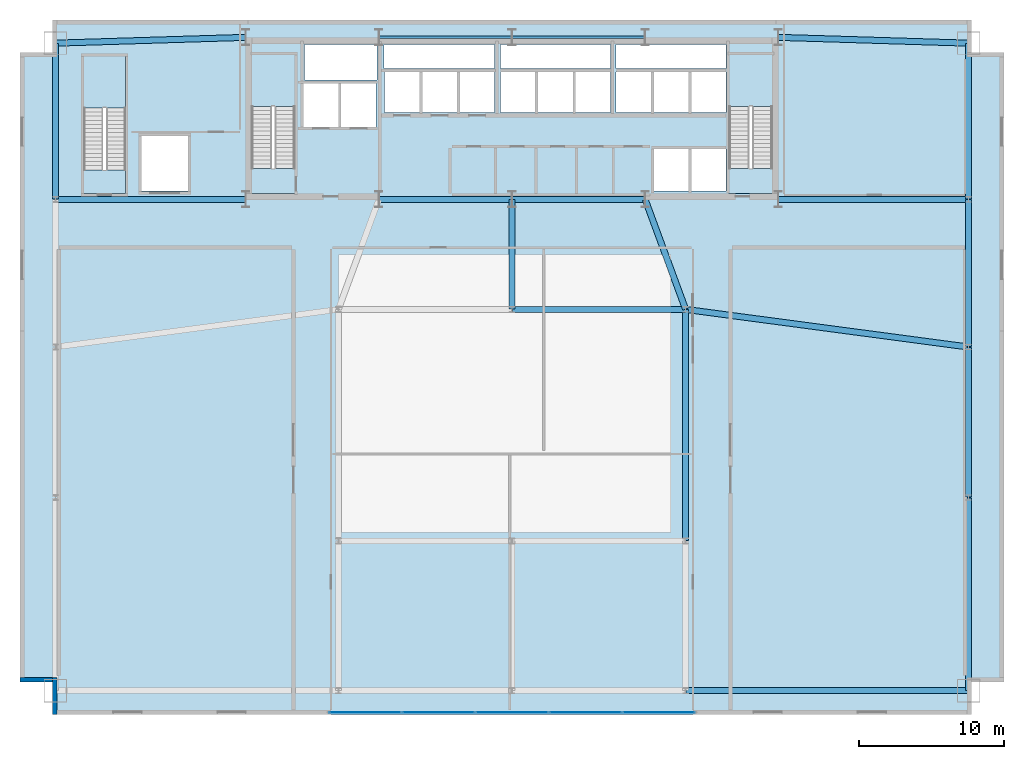
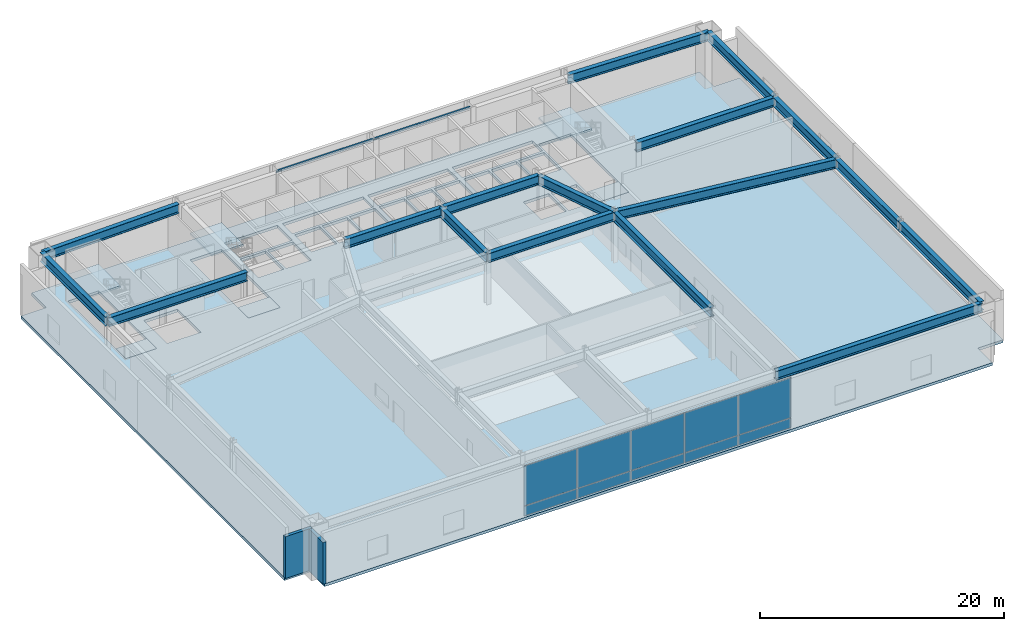
# One storey, part 7 of 12: 19 beams, 10 plates, 7 slabs, 2 walls, 4 elements without a shape of their own.
"""IFC4 building model written with IfcOpenShell, lengths in metres."""

import ifcopenshell
import ifcopenshell.guid

model = None  # the IFC model being written
_history = None  # IfcOwnerHistory: only IFC2X3 demands one
_inside = {}  # id of a spatial element -> (the spatial element, [elements in it])
_under = {}  # id of a project, library or spatial element -> (it, [spatial elements below it])
_declared = {}  # id of a project -> (the project, [libraries it declares])
_typed = {}  # id of a type object -> (the type object, [elements of that type])
_made_of = {}  # id of a material, layer set ... -> (it, [elements and type objects made of it])


def new_model(schema):
    """Start an empty IFC model of exactly this schema.

    Asked for "IFC4X3", IfcOpenShell would pick the latest addendum, in which some entities
    have other attributes; the version numbers below select the first issue.
    IFC2X3 requires an IfcOwnerHistory on every rooted entity: one is made here for all.
    """
    global model, _history
    if schema == "IFC4X3":
        model = ifcopenshell.file(schema_version=(4, 3, 0, 0))
    else:
        model = ifcopenshell.file(schema=schema)
    _inside.clear()
    _under.clear()
    _declared.clear()
    _typed.clear()
    _made_of.clear()
    _history = None
    if model.schema == "IFC2X3":
        org = make("IfcOrganization", Name="unknown")
        user = make(
            "IfcPersonAndOrganization",
            ThePerson=make("IfcPerson", FamilyName="unknown"),
            TheOrganization=org,
        )
        app = make(
            "IfcApplication",
            ApplicationDeveloper=org,
            Version="unknown",
            ApplicationFullName="unknown",
            ApplicationIdentifier="unknown",
        )
        _history = make(
            "IfcOwnerHistory",
            OwningUser=user,
            OwningApplication=app,
            ChangeAction="ADDED",
            CreationDate=0,
        )
    return model


def make(cls, **values):
    """One entity of the class cls with the attributes given. An attribute that is None is left unset."""
    return model.create_entity(
        cls, **{name: value for name, value in values.items() if value is not None}
    )


def rooted(cls, **values):
    """An entity with a GlobalId (a new one), such as an element, a storey or a relation."""
    return make(cls, GlobalId=ifcopenshell.guid.new(), OwnerHistory=_history, **values)


def si_unit(unit_type, name, prefix=None):
    """IfcSIUnit, for example si_unit("LENGTHUNIT", "METRE", prefix="MILLI")."""
    return make("IfcSIUnit", UnitType=unit_type, Prefix=prefix, Name=name)


def assignment(units):
    """IfcUnitAssignment: the units of a project."""
    return None if units is None else make("IfcUnitAssignment", Units=units)


def point(xyz):
    """IfcCartesianPoint."""
    return None if xyz is None else make("IfcCartesianPoint", Coordinates=xyz)


def direction(xyz):
    """IfcDirection."""
    return None if xyz is None else make("IfcDirection", DirectionRatios=xyz)


def frame(location, z_axis=None, x_axis=None):
    """IfcAxis2Placement3D, a coordinate frame: its origin and axes. An axis left out is left unset."""
    return make(
        "IfcAxis2Placement3D",
        Location=point(location),
        Axis=direction(z_axis),
        RefDirection=direction(x_axis),
    )


def frame_2d(location, x_axis=None):
    """IfcAxis2Placement2D, a coordinate frame in the plane: its origin and x axis."""
    return make(
        "IfcAxis2Placement2D", Location=point(location), RefDirection=direction(x_axis)
    )


def origin():
    """The frame at (0, 0, 0) with its axes left unset."""
    return frame((0.0, 0.0, 0.0))


def origin_2d():
    """The frame at (0, 0) in the plane with its x axis left unset."""
    return frame_2d((0.0, 0.0))


def place(relative_to, where):
    """IfcLocalPlacement: puts the frame where relative to a parent placement (None: the world)."""
    return make(
        "IfcLocalPlacement", PlacementRelTo=relative_to, RelativePlacement=where
    )


def context(
    kind, dimensions, precision=None, world=None, true_north=None, identifier=None
):
    """IfcGeometricRepresentationContext, for example the 3D "Model" context."""
    return make(
        "IfcGeometricRepresentationContext",
        ContextIdentifier=identifier,
        ContextType=kind,
        CoordinateSpaceDimension=dimensions,
        Precision=precision,
        WorldCoordinateSystem=world,
        TrueNorth=true_north,
    )


def subcontext(parent, identifier, kind, view, scale=None):
    """IfcGeometricRepresentationSubContext, for example "Body" below "Model"."""
    return make(
        "IfcGeometricRepresentationSubContext",
        ContextIdentifier=identifier,
        ContextType=kind,
        ParentContext=parent,
        TargetScale=scale,
        TargetView=view,
    )


def project(units=None, contexts=None):
    """IfcProject with its units and contexts."""
    return rooted(
        "IfcProject",
        Name="project",
        RepresentationContexts=contexts,
        UnitsInContext=assignment(units),
    )


def spatial(cls, under=None, at=None, **own):
    """A site, building, storey or space (cls), placed at a placement, below another one or the project."""
    s = rooted(cls, ObjectPlacement=at, **own)
    if under is not None:
        _under.setdefault(under.id(), (under, []))[1].append(s)
    return s


def polyline(points):
    """IfcPolyline through the points."""
    return make("IfcPolyline", Points=[point(p) for p in points])


def profile(cls, at=None, kind="AREA", **sizes):
    """A parametric profile (cls). Its sizes go by their IFC names, for example OverallWidth=200.0."""
    return make(cls, ProfileType=kind, Position=at, **sizes)


def rectangle(**sizes):
    """IfcRectangleProfileDef."""
    return profile("IfcRectangleProfileDef", **sizes)


def i_section(**sizes):
    """IfcIShapeProfileDef."""
    return profile("IfcIShapeProfileDef", **sizes)


def outline(outer, holes=None, kind="AREA"):
    """IfcArbitraryClosedProfileDef: a profile drawn as a closed curve; with holes, ...WithVoids."""
    if holes is None:
        return make("IfcArbitraryClosedProfileDef", ProfileType=kind, OuterCurve=outer)
    return make(
        "IfcArbitraryProfileDefWithVoids",
        ProfileType=kind,
        OuterCurve=outer,
        InnerCurves=holes,
    )


def extrude(swept, where, along, depth):
    """IfcExtrudedAreaSolid: the profile swept, set in the frame where, extruded along a direction by depth."""
    return make(
        "IfcExtrudedAreaSolid",
        SweptArea=swept,
        Position=where,
        ExtrudedDirection=direction(along),
        Depth=depth,
    )


def shape(context_of_items, identifier, shape_type, items):
    """IfcShapeRepresentation: the items that make up one representation, for example the "Body"."""
    return make(
        "IfcShapeRepresentation",
        ContextOfItems=context_of_items,
        RepresentationIdentifier=identifier,
        RepresentationType=shape_type,
        Items=items,
    )


def source(mapping_origin, context_of_items, identifier, shape_type, items):
    """IfcRepresentationMap: a shape defined once, which mapped items show again and again."""
    return make(
        "IfcRepresentationMap",
        MappingOrigin=mapping_origin,
        MappedRepresentation=shape(context_of_items, identifier, shape_type, items),
    )


def transform(
    local_origin,
    x_axis=None,
    y_axis=None,
    z_axis=None,
    scale=None,
    scale2=None,
    scale3=None,
    uniform=True,
):
    """IfcCartesianTransformationOperator3D, or its non-uniform kind. x_axis, y_axis, z_axis: its Axis1, 2, 3."""
    if uniform:
        return make(
            "IfcCartesianTransformationOperator3D",
            Axis1=direction(x_axis),
            Axis2=direction(y_axis),
            LocalOrigin=point(local_origin),
            Scale=scale,
            Axis3=direction(z_axis),
        )
    return make(
        "IfcCartesianTransformationOperator3DnonUniform",
        Axis1=direction(x_axis),
        Axis2=direction(y_axis),
        LocalOrigin=point(local_origin),
        Scale=scale,
        Axis3=direction(z_axis),
        Scale2=scale2,
        Scale3=scale3,
    )


def mapped(mapping_source, mapping_target):
    """IfcMappedItem: shows the shape of a source again, moved by a transform."""
    return make(
        "IfcMappedItem", MappingSource=mapping_source, MappingTarget=mapping_target
    )


def material(Name=None, Category=None):
    """IfcMaterial."""
    return make("IfcMaterial", Name=Name, Category=Category)


def layer(
    of_material, thickness, ventilated=None, Name=None, Category=None, Priority=None
):
    """IfcMaterialLayer: one layer of a wall or slab, of a material (None: an air gap)."""
    return make(
        "IfcMaterialLayer",
        Material=of_material,
        LayerThickness=thickness,
        IsVentilated=ventilated,
        Name=Name,
        Category=Category,
        Priority=Priority,
    )


def layer_set(layers, Name=None):
    """IfcMaterialLayerSet."""
    return make("IfcMaterialLayerSet", MaterialLayers=layers, LayerSetName=Name)


def material_profile(
    of_material, cross_section, Name=None, Category=None, Priority=None
):
    """IfcMaterialProfile: a cross section and its material."""
    return make(
        "IfcMaterialProfile",
        Name=Name,
        Material=of_material,
        Profile=cross_section,
        Priority=Priority,
        Category=Category,
    )


def profile_set(profiles, Name=None, composite=None):
    """IfcMaterialProfileSet."""
    return make(
        "IfcMaterialProfileSet",
        Name=Name,
        MaterialProfiles=profiles,
        CompositeProfile=composite,
    )


def made_of(thing, what):
    """Note that an element or type object is made of a material, layer set ...; save() writes the relation."""
    if what is not None:
        _made_of.setdefault(what.id(), (what, []))[1].append(thing)
    return thing


def type_object(cls, material=None, **own):
    """A type object (cls), such as IfcWallType, which elements share."""
    return made_of(rooted(cls, **own), material)


def type_shapes(of_type, sources):
    """Give a type object the sources (RepresentationMaps) that its elements show as mapped items."""
    of_type.RepresentationMaps = sources


def element(
    cls,
    number,
    at=None,
    inside=None,
    cuts=None,
    type_object=None,
    material=None,
    context=None,
    identifier="Body",
    shape_type=None,
    held_by="IfcProductDefinitionShape",
    body=None,
    shapes=None,
    **own,
):
    """One element of the class cls, such as IfcWall. Its Tag is "e" and its number.

    at: its placement. inside: the storey or other place that contains it. cuts: it is an
    opening in that element (IfcRelVoidsElement). A single representation is given by context,
    identifier, shape_type and body (its items); several are given by shapes. held_by: the class
    of the entity that holds the representations. save() writes the other relations.
    """
    e = rooted(cls, Tag="e%d" % number, ObjectPlacement=at, **own)
    if body is not None:
        shapes = [shape(context, identifier, shape_type, body)]
    if shapes is not None:
        e.Representation = make(held_by, Representations=shapes)
    if inside is not None:
        _inside.setdefault(inside.id(), (inside, []))[1].append(e)
    if cuts is not None:
        rooted(
            "IfcRelVoidsElement", RelatingBuildingElement=cuts, RelatedOpeningElement=e
        )
    if type_object is not None:
        _typed.setdefault(type_object.id(), (type_object, []))[1].append(e)
    return made_of(e, material)


def aggregate(whole, parts):
    """IfcRelAggregates: a whole, such as a stair, and the parts it consists of."""
    return rooted("IfcRelAggregates", RelatingObject=whole, RelatedObjects=parts)


def save(model, path):
    """Write the relations noted so far, then the file.

    IfcRelAggregates (storeys below a building ...), IfcRelContainedInSpatialStructure (elements
    in a storey), IfcRelDefinesByType, IfcRelAssociatesMaterial and IfcRelDeclares: one each for
    every whole, place, type object, material and project.
    """
    for whole, parts in _under.values():
        aggregate(whole, parts)
    for where, things in _inside.values():
        rooted(
            "IfcRelContainedInSpatialStructure",
            RelatedElements=things,
            RelatingStructure=where,
        )
    for kind, things in _typed.values():
        rooted("IfcRelDefinesByType", RelatedObjects=things, RelatingType=kind)
    for what, things in _made_of.values():
        rooted("IfcRelAssociatesMaterial", RelatedObjects=things, RelatingMaterial=what)
    for by, libraries in _declared.values():
        rooted("IfcRelDeclares", RelatingContext=by, RelatedDefinitions=libraries)
    model.write(path)


model = new_model("IFC4")

# Units and contexts
model_context = context("Model", 3, precision=1e-05, world=origin(), true_north=direction((0.0, 1.0)))
body_context = subcontext(model_context, "Body", "Model", "MODEL_VIEW")
ifc_project = project(units=[si_unit("LENGTHUNIT", "METRE"), si_unit("AREAUNIT", "SQUARE_METRE"), si_unit("VOLUMEUNIT", "CUBIC_METRE"), si_unit("PLANEANGLEUNIT", "RADIAN"), si_unit("MASSUNIT", "GRAM", prefix="KILO")], contexts=[model_context])

# Site, building, storey
site_placement = place(None, origin())
site = spatial("IfcSite", under=ifc_project, at=site_placement, CompositionType="ELEMENT")
building_placement = place(site_placement, origin())
building = spatial("IfcBuilding", under=site, at=building_placement, Name="Varnel Quay Broadcast Tower", CompositionType="ELEMENT")
storey_placement = place(building_placement, frame((0.0, 0.0, 11.39990234375)))
storey = spatial("IfcBuildingStorey", under=building, at=storey_placement, Name="L02", CompositionType="ELEMENT", Elevation=11.39990234375)

# Beams
ifc_material_1 = material(Name="Structural Steel CSA G40.21 350W", Category="steel")
ifc_material_profile_1 = material_profile(ifc_material_1, i_section(OverallWidth=0.1650390625, OverallDepth=0.200927734375, WebThickness=0.006103515625, FlangeThickness=0.01025390625, FilletRadius=0.010009765625, at=origin_2d()), Name="W200X36")
ifc_profile_set_1 = profile_set([ifc_material_profile_1], Name="Structural Steel CSA G40.21 350W")
beam_type_1 = type_object("IfcBeamType", Name="Beam_W200X36", PredefinedType="LINTEL", material=ifc_profile_set_1)
shared_shape_1 = source(origin(), body_context, "Body", "SweptSolid", [
    extrude(i_section(OverallWidth=0.1650390625, OverallDepth=0.200927734375, WebThickness=0.006103515625, FlangeThickness=0.01025390625, FilletRadius=0.010009765625, at=origin_2d()), origin(), (0.0, 0.0, 1.0), 9.159912109375),
])
type_shapes(beam_type_1, [shared_shape_1])
for number, where, z_axis, x_axis, name in (
    (1, (24.820068359375, 46.800048828125, 5.01953125), (1.0, 0.0, 0.0), (0.0, 1.0, 0.0), "L02 Core North Portal Lintel W"),
    (2, (34.02001953125, 46.800048828125, 5.01953125), (1.0, 0.0, 0.0), (0.0, 1.0, 0.0), "L02 Core North Portal Lintel E"),
):
    element("IfcBeam", number, at=place(storey_placement, frame(where, z_axis=z_axis, x_axis=x_axis)), inside=storey, type_object=beam_type_1, Name=name, PredefinedType="LINTEL", context=body_context, shape_type="MappedRepresentation", body=[
        mapped(shared_shape_1, transform((0.0, 0.0, 0.0), x_axis=(1.0, 0.0, 0.0), y_axis=(0.0, 1.0, 0.0), z_axis=(0.0, 0.0, 1.0), scale=1.0)),
    ])
ifc_material_profile_2 = material_profile(ifc_material_1, i_section(OverallWidth=0.41796875, OverallDepth=0.912109375, WebThickness=0.019287109375, FlangeThickness=0.031982421875, FilletRadius=0.02197265625, at=origin_2d()), Name="W920X342")
ifc_profile_set_2 = profile_set([ifc_material_profile_2], Name="Structural Steel CSA G40.21 350W")
beam_type_2 = type_object("IfcBeamType", Name="Girder_W920X342", PredefinedType="BEAM", material=ifc_profile_set_2)
shared_shape_2 = source(origin(), body_context, "Body", "SweptSolid", [
    extrude(i_section(OverallWidth=0.41796875, OverallDepth=0.912109375, WebThickness=0.019287109375, FlangeThickness=0.031982421875, FilletRadius=0.02197265625, at=origin_2d()), origin(), (0.0, 0.0, 1.0), 19.510009765625),
])
beam_1_placement = place(storey_placement, frame((46.02001953125, 1.64990234375, 4.6640625), z_axis=(1.0, 0.0, 0.0), x_axis=(0.0, 1.0, 0.0)))
element("IfcBeam", 3, at=beam_1_placement, inside=storey, type_object=beam_type_2, Name="L02 Girder G-PS4", PredefinedType="BEAM", context=body_context, shape_type="MappedRepresentation", body=[
    mapped(shared_shape_2, transform((0.0, 0.0, 0.0), x_axis=(1.0, 0.0, 0.0), y_axis=(0.0, 1.0, 0.0), z_axis=(0.0, 0.0, 1.0), scale=1.0)),
])
shared_shape_3 = source(origin(), body_context, "Body", "SweptSolid", [
    extrude(i_section(OverallWidth=0.41796875, OverallDepth=0.912109375, WebThickness=0.019287109375, FlangeThickness=0.031982421875, FilletRadius=0.02197265625, at=origin_2d()), origin(), (0.0, 0.0, 1.0), 11.9599609375),
])
beam_2_placement = place(storey_placement, frame((34.02001953125, 28.0, 4.6640625), z_axis=(1.0, 0.0, 0.0), x_axis=(0.0, 1.0, 0.0)))
element("IfcBeam", 4, at=beam_2_placement, inside=storey, type_object=beam_type_2, Name="L02 Girder G-STC3", PredefinedType="BEAM", context=body_context, shape_type="MappedRepresentation", body=[
    mapped(shared_shape_3, transform((0.0, 0.0, 0.0), x_axis=(1.0, 0.0, 0.0), y_axis=(0.0, 1.0, 0.0), z_axis=(0.0, 0.0, 1.0), scale=1.0)),
])
shared_shape_4 = source(origin(), body_context, "Body", "SweptSolid", [
    extrude(i_section(OverallWidth=0.41796875, OverallDepth=0.912109375, WebThickness=0.019287109375, FlangeThickness=0.031982421875, FilletRadius=0.02197265625, at=origin_2d()), origin(), (0.0, 0.0, 1.0), 13.31005859375),
])
beam_3_placement = place(storey_placement, frame((65.550048828125, 1.669921875, 4.6640625), z_axis=(0.0, 1.0, 0.0), x_axis=(-1.0, 0.0, 0.0)))
element("IfcBeam", 5, at=beam_3_placement, inside=storey, type_object=beam_type_2, Name="L02 Girder G-PE1", PredefinedType="BEAM", context=body_context, shape_type="MappedRepresentation", body=[
    mapped(shared_shape_4, transform((0.0, 0.0, 0.0), x_axis=(1.0, 0.0, 0.0), y_axis=(0.0, 1.0, 0.0), z_axis=(0.0, 0.0, 1.0), scale=1.0)),
])
shared_shape_5 = source(origin(), body_context, "Body", "SweptSolid", [
    extrude(i_section(OverallWidth=0.41796875, OverallDepth=0.912109375, WebThickness=0.019287109375, FlangeThickness=0.031982421875, FilletRadius=0.02197265625, at=origin_2d()), origin(), (0.0, 0.0, 1.0), 10.35986328125),
])
beam_4_placement = place(storey_placement, frame((65.550048828125, 15.02001953125, 4.6640625), z_axis=(0.0, 1.0, 0.0), x_axis=(-1.0, 0.0, 0.0)))
element("IfcBeam", 6, at=beam_4_placement, inside=storey, type_object=beam_type_2, Name="L02 Girder G-PE2", PredefinedType="BEAM", context=body_context, shape_type="MappedRepresentation", body=[
    mapped(shared_shape_5, transform((0.0, 0.0, 0.0), x_axis=(1.0, 0.0, 0.0), y_axis=(0.0, 1.0, 0.0), z_axis=(0.0, 0.0, 1.0), scale=1.0)),
])
shared_shape_6 = source(origin(), body_context, "Body", "SweptSolid", [
    extrude(i_section(OverallWidth=0.41796875, OverallDepth=0.912109375, WebThickness=0.019287109375, FlangeThickness=0.031982421875, FilletRadius=0.02197265625, at=origin_2d()), origin(), (0.0, 0.0, 1.0), 10.16015625),
])
beam_5_placement = place(storey_placement, frame((65.550048828125, 25.419921875, 4.6640625), z_axis=(0.0, 1.0, 0.0), x_axis=(-1.0, 0.0, 0.0)))
element("IfcBeam", 7, at=beam_5_placement, inside=storey, type_object=beam_type_2, Name="L02 Girder G-PE3", PredefinedType="BEAM", context=body_context, shape_type="MappedRepresentation", body=[
    mapped(shared_shape_6, transform((0.0, 0.0, 0.0), x_axis=(1.0, 0.0, 0.0), y_axis=(0.0, 1.0, 0.0), z_axis=(0.0, 0.0, 1.0), scale=1.0)),
])
shared_shape_7 = source(origin(), body_context, "Body", "SweptSolid", [
    extrude(i_section(OverallWidth=0.41796875, OverallDepth=0.912109375, WebThickness=0.019287109375, FlangeThickness=0.031982421875, FilletRadius=0.02197265625, at=origin_2d()), origin(), (0.0, 0.0, 1.0), 10.759765625),
])
for number, where, z_axis, x_axis, name in (
    (8, (2.449951171875, 35.6201171875, 4.6640625), (0.0, 1.0, 0.0), (-1.0, 0.0, 0.0), "L02 Girder G-PW4"),
    (9, (65.550048828125, 35.6201171875, 4.6640625), (0.0, 1.0, 0.0), (-1.0, 0.0, 0.0), "L02 Girder G-PE4"),
):
    element("IfcBeam", number, at=place(storey_placement, frame(where, z_axis=z_axis, x_axis=x_axis)), inside=storey, type_object=beam_type_2, Name=name, PredefinedType="BEAM", context=body_context, shape_type="MappedRepresentation", body=[
        mapped(shared_shape_7, transform((0.0, 0.0, 0.0), x_axis=(1.0, 0.0, 0.0), y_axis=(0.0, 1.0, 0.0), z_axis=(0.0, 0.0, 1.0), scale=1.0)),
    ])
shared_shape_8 = source(origin(), body_context, "Body", "SweptSolid", [
    extrude(i_section(OverallWidth=0.41796875, OverallDepth=0.912109375, WebThickness=0.019287109375, FlangeThickness=0.031982421875, FilletRadius=0.02197265625, at=origin_2d()), origin(), (0.0, 0.0, 1.0), 13.1162109375),
])
for number, where, z_axis, x_axis, name in (
    (10, (2.469970703125, 46.400634765625, 4.6640625), (0.999537928818, 0.030396198025, 0.0), (-0.030396198025, 0.999537928818, 0.0), "L02 Girder G-PN1"),
    (11, (52.419921875, 46.79931640625, 4.6640625), (0.999537928818, -0.030396198025, 0.0), (0.030396198025, 0.999537928818, 0.0), "L02 Girder G-PN2"),
):
    element("IfcBeam", number, at=place(storey_placement, frame(where, z_axis=z_axis, x_axis=x_axis)), inside=storey, type_object=beam_type_2, Name=name, PredefinedType="BEAM", context=body_context, shape_type="MappedRepresentation", body=[
        mapped(shared_shape_8, transform((0.0, 0.0, 0.0), x_axis=(1.0, 0.0, 0.0), y_axis=(0.0, 1.0, 0.0), z_axis=(0.0, 0.0, 1.0), scale=1.0)),
    ])
shared_shape_9 = source(origin(), body_context, "Body", "SweptSolid", [
    extrude(i_section(OverallWidth=0.41796875, OverallDepth=0.912109375, WebThickness=0.019287109375, FlangeThickness=0.031982421875, FilletRadius=0.02197265625, at=origin_2d()), origin(), (0.0, 0.0, 1.0), 19.682373046875),
])
beam_6_placement = place(storey_placement, frame((46.019775390625, 27.997314453125, 4.6640625), z_axis=(0.991272261072, -0.131830589885, 0.0), x_axis=(0.131830589885, 0.991272261072, 0.0)))
element("IfcBeam", 12, at=beam_6_placement, inside=storey, type_object=beam_type_2, Name="L02 Girder G-STB2", PredefinedType="BEAM", context=body_context, shape_type="MappedRepresentation", body=[
    mapped(shared_shape_9, transform((0.0, 0.0, 0.0), x_axis=(1.0, 0.0, 0.0), y_axis=(0.0, 1.0, 0.0), z_axis=(0.0, 0.0, 1.0), scale=1.0)),
])
shared_shape_10 = source(origin(), body_context, "Body", "SweptSolid", [
    extrude(i_section(OverallWidth=0.41796875, OverallDepth=0.912109375, WebThickness=0.019287109375, FlangeThickness=0.031982421875, FilletRadius=0.02197265625, at=origin_2d()), origin(), (0.0, 0.0, 1.0), 15.9599609375),
])
beam_7_placement = place(storey_placement, frame((46.0, 12.02001953125, 4.6640625), z_axis=(0.0, 1.0, 0.0), x_axis=(-1.0, 0.0, 0.0)))
element("IfcBeam", 13, at=beam_7_placement, inside=storey, type_object=beam_type_2, Name="L02 Girder G-M4", PredefinedType="BEAM", context=body_context, shape_type="MappedRepresentation", body=[
    mapped(shared_shape_10, transform((0.0, 0.0, 0.0), x_axis=(1.0, 0.0, 0.0), y_axis=(0.0, 1.0, 0.0), z_axis=(0.0, 0.0, 1.0), scale=1.0)),
])
shared_shape_11 = source(origin(), body_context, "Body", "SweptSolid", [
    extrude(i_section(OverallWidth=0.41796875, OverallDepth=0.912109375, WebThickness=0.019287109375, FlangeThickness=0.031982421875, FilletRadius=0.02197265625, at=origin_2d()), origin(), (0.0, 0.0, 1.0), 8.0595703125),
])
beam_8_placement = place(storey_placement, frame((45.9931640625, 28.018798828125, 4.6640625), z_axis=(-0.345726415607, 0.938335358788, 0.0), x_axis=(-0.938335358788, -0.345726415607, 0.0)))
element("IfcBeam", 14, at=beam_8_placement, inside=storey, type_object=beam_type_2, Name="L02 Girder G-C3", PredefinedType="BEAM", context=body_context, shape_type="MappedRepresentation", body=[
    mapped(shared_shape_11, transform((0.0, 0.0, 0.0), x_axis=(1.0, 0.0, 0.0), y_axis=(0.0, 1.0, 0.0), z_axis=(0.0, 0.0, 1.0), scale=1.0)),
])
shared_shape_12 = source(origin(), body_context, "Body", "SweptSolid", [
    extrude(i_section(OverallWidth=0.41796875, OverallDepth=0.912109375, WebThickness=0.019287109375, FlangeThickness=0.031982421875, FilletRadius=0.02197265625, at=origin_2d()), origin(), (0.0, 0.0, 1.0), 7.56005859375),
])
beam_9_placement = place(storey_placement, frame((34.0, 28.02001953125, 4.6640625), z_axis=(0.0, 1.0, 0.0), x_axis=(-1.0, 0.0, 0.0)))
element("IfcBeam", 15, at=beam_9_placement, inside=storey, type_object=beam_type_2, Name="L02 Girder G-C2", PredefinedType="BEAM", context=body_context, shape_type="MappedRepresentation", body=[
    mapped(shared_shape_12, transform((0.0, 0.0, 0.0), x_axis=(1.0, 0.0, 0.0), y_axis=(0.0, 1.0, 0.0), z_axis=(0.0, 0.0, 1.0), scale=1.0)),
])
shared_shape_13 = source(origin(), body_context, "Body", "SweptSolid", [
    extrude(i_section(OverallWidth=0.41796875, OverallDepth=0.912109375, WebThickness=0.019287109375, FlangeThickness=0.031982421875, FilletRadius=0.02197265625, at=origin_2d()), origin(), (0.0, 0.0, 1.0), 13.110107421875),
])
for number, where, z_axis, x_axis, name in (
    (16, (2.469970703125, 35.60009765625, 4.6640625), (1.0, 0.0, 0.0), (0.0, 1.0, 0.0), "L02 Girder G-C4"),
    (17, (52.419921875, 35.60009765625, 4.6640625), (1.0, 0.0, 0.0), (0.0, 1.0, 0.0), "L02 Girder G-C5"),
):
    element("IfcBeam", number, at=place(storey_placement, frame(where, z_axis=z_axis, x_axis=x_axis)), inside=storey, type_object=beam_type_2, Name=name, PredefinedType="BEAM", context=body_context, shape_type="MappedRepresentation", body=[
        mapped(shared_shape_13, transform((0.0, 0.0, 0.0), x_axis=(1.0, 0.0, 0.0), y_axis=(0.0, 1.0, 0.0), z_axis=(0.0, 0.0, 1.0), scale=1.0)),
    ])
shared_shape_14 = source(origin(), body_context, "Body", "SweptSolid", [
    extrude(i_section(OverallWidth=0.41796875, OverallDepth=0.912109375, WebThickness=0.019287109375, FlangeThickness=0.031982421875, FilletRadius=0.02197265625, at=origin_2d()), origin(), (0.0, 0.0, 1.0), 9.159912109375),
])
type_shapes(beam_type_2, [shared_shape_2, shared_shape_3, shared_shape_4, shared_shape_5, shared_shape_6, shared_shape_7, shared_shape_8, shared_shape_9, shared_shape_10, shared_shape_11, shared_shape_12, shared_shape_13, shared_shape_14])
for number, where, z_axis, x_axis, name in (
    (18, (24.820068359375, 35.60009765625, 4.6640625), (1.0, 0.0, 0.0), (0.0, 1.0, 0.0), "L02 Girder G-CS1"),
    (19, (34.02001953125, 35.60009765625, 4.6640625), (1.0, 0.0, 0.0), (0.0, 1.0, 0.0), "L02 Girder G-CS2"),
):
    element("IfcBeam", number, at=place(storey_placement, frame(where, z_axis=z_axis, x_axis=x_axis)), inside=storey, type_object=beam_type_2, Name=name, PredefinedType="BEAM", context=body_context, shape_type="MappedRepresentation", body=[
        mapped(shared_shape_14, transform((0.0, 0.0, 0.0), x_axis=(1.0, 0.0, 0.0), y_axis=(0.0, 1.0, 0.0), z_axis=(0.0, 0.0, 1.0), scale=1.0)),
    ])

# Slabs
ifc_material_2 = material(Name="Concrete CSA A23.3 C50/60", Category="concrete")
ifc_layer_1 = layer(ifc_material_2, 0.280029296875, Name="Concrete CSA A23.3 C50/60")
ifc_layer_set_1 = layer_set([ifc_layer_1], Name="Concrete CSA A23.3 C50/60")
slab_type_1 = type_object("IfcSlabType", Name="Slab_Floor280", PredefinedType="FLOOR", material=ifc_layer_set_1)
slab_1_placement = place(storey_placement, frame((0.0, 0.0, -0.27978515625)))
element("IfcSlab", 20, at=slab_1_placement, inside=storey, type_object=slab_type_1, Name="L02 Structural Slab", PredefinedType="FLOOR", context=body_context, shape_type="SweptSolid", body=[
    extrude(outline(polyline([(2.39990234375, 0.0), (65.60009765625, 0.0), (65.60009765625, 2.39990234375), (68.0, 2.39990234375), (68.0, 45.60009765625), (65.60009765625, 45.60009765625), (65.60009765625, 48.0), (2.39990234375, 48.0), (2.39990234375, 45.60009765625), (0.0, 45.60009765625), (0.0, 2.39990234375), (2.39990234375, 2.39990234375), (2.39990234375, 0.0)]), holes=[polyline([(8.39990234375, 40.0), (11.60009765625, 40.0), (11.60009765625, 36.199951171875), (8.39990234375, 36.199951171875), (8.39990234375, 40.0)]), polyline([(4.39990234375, 36.0), (4.39990234375, 45.5), (7.300048828125, 45.5), (7.300048828125, 36.0), (4.39990234375, 36.0)]), polyline([(16.0, 36.0), (16.0, 45.60009765625), (19.0, 45.60009765625), (19.0, 36.0), (16.0, 36.0)]), polyline([(22.0, 43.60009765625), (22.0, 40.60009765625), (19.60009765625, 40.60009765625), (19.60009765625, 43.60009765625), (22.0, 43.60009765625)]), polyline([(24.60009765625, 43.60009765625), (24.60009765625, 40.60009765625), (22.199951171875, 40.60009765625), (22.199951171875, 43.60009765625), (24.60009765625, 43.60009765625)]), polyline([(25.199951171875, 44.39990234375), (27.60009765625, 44.39990234375), (27.60009765625, 41.60009765625), (25.199951171875, 41.60009765625), (25.199951171875, 44.39990234375)]), polyline([(27.800048828125, 44.39990234375), (30.199951171875, 44.39990234375), (30.199951171875, 41.60009765625), (27.800048828125, 41.60009765625), (27.800048828125, 44.39990234375)]), polyline([(30.39990234375, 44.39990234375), (32.800048828125, 44.39990234375), (32.800048828125, 41.60009765625), (30.39990234375, 41.60009765625), (30.39990234375, 44.39990234375)]), polyline([(35.60009765625, 44.39990234375), (35.60009765625, 41.60009765625), (33.199951171875, 41.60009765625), (33.199951171875, 44.39990234375), (35.60009765625, 44.39990234375)]), polyline([(24.679931640625, 46.300048828125), (24.679931640625, 43.85009765625), (19.64990234375, 43.85009765625), (19.64990234375, 46.300048828125), (24.679931640625, 46.300048828125)]), polyline([(25.14990234375, 46.300048828125), (32.800048828125, 46.300048828125), (32.800048828125, 44.64990234375), (25.14990234375, 44.64990234375), (25.14990234375, 46.300048828125)]), polyline([(43.800048828125, 39.10009765625), (46.199951171875, 39.10009765625), (46.199951171875, 36.199951171875), (43.800048828125, 36.199951171875), (43.800048828125, 39.10009765625)]), polyline([(46.39990234375, 39.10009765625), (48.800048828125, 39.10009765625), (48.800048828125, 36.199951171875), (46.39990234375, 36.199951171875), (46.39990234375, 39.10009765625)]), polyline([(49.0, 45.60009765625), (52.0, 45.60009765625), (52.0, 36.0), (49.0, 36.0), (49.0, 45.60009765625)]), polyline([(38.199951171875, 44.39990234375), (38.199951171875, 41.60009765625), (35.800048828125, 41.60009765625), (35.800048828125, 44.39990234375), (38.199951171875, 44.39990234375)]), polyline([(38.39990234375, 44.39990234375), (40.800048828125, 44.39990234375), (40.800048828125, 41.60009765625), (38.39990234375, 41.60009765625), (38.39990234375, 44.39990234375)]), polyline([(43.60009765625, 44.39990234375), (43.60009765625, 41.60009765625), (41.199951171875, 41.60009765625), (41.199951171875, 44.39990234375), (43.60009765625, 44.39990234375)]), polyline([(46.199951171875, 44.39990234375), (46.199951171875, 41.60009765625), (43.800048828125, 41.60009765625), (43.800048828125, 44.39990234375), (46.199951171875, 44.39990234375)]), polyline([(46.39990234375, 44.39990234375), (48.800048828125, 44.39990234375), (48.800048828125, 41.60009765625), (46.39990234375, 41.60009765625), (46.39990234375, 44.39990234375)]), polyline([(40.800048828125, 46.300048828125), (40.800048828125, 44.64990234375), (33.199951171875, 44.64990234375), (33.199951171875, 46.300048828125), (40.800048828125, 46.300048828125)]), polyline([(48.800048828125, 46.300048828125), (48.800048828125, 44.64990234375), (41.199951171875, 44.64990234375), (41.199951171875, 46.300048828125), (48.800048828125, 46.300048828125)])]), origin(), (0.0, 0.0, 1.0), 0.27978515625),
])
ifc_layer_2 = layer(ifc_material_2, 0.25, Name="Concrete CSA A23.3 C50/60")
ifc_layer_set_2 = layer_set([ifc_layer_2], Name="Concrete CSA A23.3 C50/60")
slab_type_2 = type_object("IfcSlabType", Name="Slab_StairFloorLanding250", PredefinedType="FLOOR", material=ifc_layer_set_2)
slab_2_placement = place(storey_placement, frame((0.0, 0.0, -0.27978515625)))
element("IfcSlab", 21, at=slab_2_placement, inside=storey, type_object=slab_type_2, Name="L02 ST-01 Structural Floor Landing Slab", PredefinedType="FLOOR", context=body_context, shape_type="SweptSolid", body=[
    extrude(outline(polyline([(19.0, 36.0), (19.0, 37.75), (16.0, 37.75), (16.0, 36.0), (19.0, 36.0)])), origin(), (0.0, 0.0, 1.0), 0.27978515625),
])
slab_3_placement = place(storey_placement, frame((0.0, 0.0, -0.27978515625)))
element("IfcSlab", 22, at=slab_3_placement, inside=storey, type_object=slab_type_2, Name="L02 ST-02 Structural Floor Landing Slab", PredefinedType="FLOOR", context=body_context, shape_type="SweptSolid", body=[
    extrude(outline(polyline([(52.0, 36.0), (52.0, 37.75), (49.0, 37.75), (49.0, 36.0), (52.0, 36.0)])), origin(), (0.0, 0.0, 1.0), 0.27978515625),
])
slab_4_placement = place(storey_placement, frame((0.0, 0.0, -0.27978515625)))
element("IfcSlab", 23, at=slab_4_placement, inside=storey, type_object=slab_type_2, Name="L02 ST-03 Structural Floor Landing Slab", PredefinedType="FLOOR", context=body_context, shape_type="SweptSolid", body=[
    extrude(outline(polyline([(7.300048828125, 36.0), (7.300048828125, 37.64990234375), (4.39990234375, 37.64990234375), (4.39990234375, 36.0), (7.300048828125, 36.0)])), origin(), (0.0, 0.0, 1.0), 0.27978515625),
])

# Stair, slab
ifc_material_3 = material(Name="Precast Structural Concrete C40/50", Category="concrete")
stair_type_1 = type_object("IfcStairType", Name="Stair_ST-01", PredefinedType="HALF_TURN_STAIR", material=ifc_material_3)
stair_1_placement = place(storey_placement, origin())
stair_1 = element("IfcStair", 24, at=stair_1_placement, inside=storey, type_object=stair_type_1, Name="L02 West Core Exit Stair 1", PredefinedType="HALF_TURN_STAIR")
ifc_layer_3 = layer(ifc_material_3, 0.199951171875, Name="Precast Structural Concrete C40/50")
ifc_layer_set_3 = layer_set([ifc_layer_3], Name="Precast Structural Concrete C40/50")
slab_type_3 = type_object("IfcSlabType", Name="Slab_StairLanding200", PredefinedType="LANDING", material=ifc_layer_set_3)
slab_5_placement = place(storey_placement, frame((0.0, 0.0, 2.5)))
slab_5 = element("IfcSlab", 25, at=slab_5_placement, type_object=slab_type_3, Name="ST-01 landing 1", PredefinedType="LANDING", context=body_context, shape_type="SweptSolid", body=[
    extrude(outline(polyline([(19.0, 42.02490234375), (19.0, 45.60009765625), (16.0, 45.60009765625), (16.0, 42.02490234375), (19.0, 42.02490234375)])), origin(), (0.0, 0.0, 1.0), 0.2001953125),
])
aggregate(stair_1, [slab_5])

stair_type_2 = type_object("IfcStairType", Name="Stair_ST-02", PredefinedType="HALF_TURN_STAIR", material=ifc_material_3)
stair_2_placement = place(storey_placement, origin())
stair_2 = element("IfcStair", 26, at=stair_2_placement, inside=storey, type_object=stair_type_2, Name="L02 East Core Exit Stair 2", PredefinedType="HALF_TURN_STAIR")
slab_6_placement = place(storey_placement, frame((0.0, 0.0, 2.5)))
slab_6 = element("IfcSlab", 27, at=slab_6_placement, type_object=slab_type_3, Name="ST-02 landing 1", PredefinedType="LANDING", context=body_context, shape_type="SweptSolid", body=[
    extrude(outline(polyline([(52.0, 42.02490234375), (52.0, 45.60009765625), (49.0, 45.60009765625), (49.0, 42.02490234375), (52.0, 42.02490234375)])), origin(), (0.0, 0.0, 1.0), 0.2001953125),
])
aggregate(stair_2, [slab_6])

stair_type_3 = type_object("IfcStairType", Name="Stair_ST-03", PredefinedType="HALF_TURN_STAIR", material=ifc_material_3)
stair_3_placement = place(storey_placement, origin())
stair_3 = element("IfcStair", 28, at=stair_3_placement, inside=storey, type_object=stair_type_3, Name="L02 Podium Studio Exit Stair 3", PredefinedType="HALF_TURN_STAIR")
slab_7_placement = place(storey_placement, frame((0.0, 0.0, 2.5)))
slab_7 = element("IfcSlab", 29, at=slab_7_placement, type_object=slab_type_3, Name="ST-03 landing 1", PredefinedType="LANDING", context=body_context, shape_type="SweptSolid", body=[
    extrude(outline(polyline([(7.300048828125, 41.925048828125), (7.300048828125, 45.5), (4.39990234375, 45.5), (4.39990234375, 41.925048828125), (7.300048828125, 41.925048828125)])), origin(), (0.0, 0.0, 1.0), 0.2001953125),
])
aggregate(stair_3, [slab_7])

# Curtain wall, plates
ifc_material_4 = material(Name="Anodised Bronze Aluminium 6063-T6", Category="aluminium")
ifc_layer_4 = layer(ifc_material_4, 0.18994140625, Name="Anodised Bronze Aluminium 6063-T6")
ifc_layer_set_4 = layer_set([ifc_layer_4], Name="Anodised Bronze Aluminium 6063-T6")
curtain_wall_type = type_object("IfcCurtainWallType", Name="CW_PodiumForum", PredefinedType="NOTDEFINED", material=ifc_layer_set_4)
curtain_wall_placement = place(storey_placement, origin())
curtain_wall = element("IfcCurtainWall", 30, at=curtain_wall_placement, inside=storey, type_object=curtain_wall_type, Name="L02 Waterfront Forum Curtain Wall", PredefinedType="NOTDEFINED")
ifc_material_5 = material(Name="Triple-Glazed Clear High-Vision Low-E Glass", Category="glass")
ifc_layer_5 = layer(ifc_material_5, 0.035888671875, Name="Triple-Glazed Clear High-Vision Low-E Glass")
ifc_layer_set_5 = layer_set([ifc_layer_5], Name="Triple-Glazed Clear High-Vision Low-E Glass")
plate_type = type_object("IfcPlateType", Name="Panel_CWS-01", PredefinedType="CURTAIN_PANEL", material=ifc_layer_set_5)
shared_shape_15 = source(origin(), body_context, "Body", "SweptSolid", [
    extrude(rectangle(XDim=4.967529296875, YDim=0.035888671875, at=origin_2d()), origin(), (0.0, 0.0, 1.0), 0.952392578125),
])
plate_1_placement = place(storey_placement, frame((23.858642578125, 0.14990234375, 0.06494140625), z_axis=(0.0, 0.0, 1.0), x_axis=(1.0, 0.0, 0.0)))
plate_1 = element("IfcPlate", 31, at=plate_1_placement, type_object=plate_type, Name="CWS-01 panel 1.1", PredefinedType="CURTAIN_PANEL", context=body_context, shape_type="MappedRepresentation", body=[
    mapped(shared_shape_15, transform((0.0, 0.0, 0.0), x_axis=(1.0, 0.0, 0.0), y_axis=(0.0, 1.0, 0.0), z_axis=(0.0, 0.0, 1.0), scale=1.0)),
])
plate_2_placement = place(storey_placement, frame((44.141357421875, 0.14990234375, 0.06494140625), z_axis=(0.0, 0.0, 1.0), x_axis=(1.0, 0.0, 0.0)))
plate_2 = element("IfcPlate", 32, at=plate_2_placement, type_object=plate_type, Name="CWS-01 panel 5.1", PredefinedType="CURTAIN_PANEL", context=body_context, shape_type="MappedRepresentation", body=[
    mapped(shared_shape_15, transform((0.0, 0.0, 0.0), x_axis=(1.0, 0.0, 0.0), y_axis=(0.0, 1.0, 0.0), z_axis=(0.0, 0.0, 1.0), scale=1.0)),
])
shared_shape_16 = source(origin(), body_context, "Body", "SweptSolid", [
    extrude(rectangle(XDim=4.967529296875, YDim=0.035888671875, at=origin_2d()), origin(), (0.0, 0.0, 1.0), 3.972412109375),
])
plate_3_placement = place(storey_placement, frame((23.858642578125, 0.14990234375, 1.08251953125), z_axis=(0.0, 0.0, 1.0), x_axis=(1.0, 0.0, 0.0)))
plate_3 = element("IfcPlate", 33, at=plate_3_placement, type_object=plate_type, Name="CWS-01 panel 1.2", PredefinedType="CURTAIN_PANEL", context=body_context, shape_type="MappedRepresentation", body=[
    mapped(shared_shape_16, transform((0.0, 0.0, 0.0), x_axis=(1.0, 0.0, 0.0), y_axis=(0.0, 1.0, 0.0), z_axis=(0.0, 0.0, 1.0), scale=1.0)),
])
plate_4_placement = place(storey_placement, frame((44.141357421875, 0.14990234375, 1.08251953125), z_axis=(0.0, 0.0, 1.0), x_axis=(1.0, 0.0, 0.0)))
plate_4 = element("IfcPlate", 34, at=plate_4_placement, type_object=plate_type, Name="CWS-01 panel 5.2", PredefinedType="CURTAIN_PANEL", context=body_context, shape_type="MappedRepresentation", body=[
    mapped(shared_shape_16, transform((0.0, 0.0, 0.0), x_axis=(1.0, 0.0, 0.0), y_axis=(0.0, 1.0, 0.0), z_axis=(0.0, 0.0, 1.0), scale=1.0)),
])
shared_shape_17 = source(origin(), body_context, "Body", "SweptSolid", [
    extrude(rectangle(XDim=5.0048828125, YDim=0.035888671875, at=origin_2d()), origin(), (0.0, 0.0, 1.0), 0.952392578125),
])
plate_5_placement = place(storey_placement, frame((28.919921875, 0.14990234375, 0.06494140625), z_axis=(0.0, 0.0, 1.0), x_axis=(1.0, 0.0, 0.0)))
plate_5 = element("IfcPlate", 35, at=plate_5_placement, type_object=plate_type, Name="CWS-01 panel 2.1", PredefinedType="CURTAIN_PANEL", context=body_context, shape_type="MappedRepresentation", body=[
    mapped(shared_shape_17, transform((0.0, 0.0, 0.0), x_axis=(1.0, 0.0, 0.0), y_axis=(0.0, 1.0, 0.0), z_axis=(0.0, 0.0, 1.0), scale=1.0)),
])
plate_6_placement = place(storey_placement, frame((34.0, 0.14990234375, 0.06494140625), z_axis=(0.0, 0.0, 1.0), x_axis=(1.0, 0.0, 0.0)))
plate_6 = element("IfcPlate", 36, at=plate_6_placement, type_object=plate_type, Name="CWS-01 panel 3.1", PredefinedType="CURTAIN_PANEL", context=body_context, shape_type="MappedRepresentation", body=[
    mapped(shared_shape_17, transform((0.0, 0.0, 0.0), x_axis=(1.0, 0.0, 0.0), y_axis=(0.0, 1.0, 0.0), z_axis=(0.0, 0.0, 1.0), scale=1.0)),
])
plate_7_placement = place(storey_placement, frame((39.080078125, 0.14990234375, 0.06494140625), z_axis=(0.0, 0.0, 1.0), x_axis=(1.0, 0.0, 0.0)))
plate_7 = element("IfcPlate", 37, at=plate_7_placement, type_object=plate_type, Name="CWS-01 panel 4.1", PredefinedType="CURTAIN_PANEL", context=body_context, shape_type="MappedRepresentation", body=[
    mapped(shared_shape_17, transform((0.0, 0.0, 0.0), x_axis=(1.0, 0.0, 0.0), y_axis=(0.0, 1.0, 0.0), z_axis=(0.0, 0.0, 1.0), scale=1.0)),
])
shared_shape_18 = source(origin(), body_context, "Body", "SweptSolid", [
    extrude(rectangle(XDim=5.0048828125, YDim=0.035888671875, at=origin_2d()), origin(), (0.0, 0.0, 1.0), 3.972412109375),
])
type_shapes(plate_type, [shared_shape_15, shared_shape_16, shared_shape_17, shared_shape_18])
plate_8_placement = place(storey_placement, frame((28.919921875, 0.14990234375, 1.08251953125), z_axis=(0.0, 0.0, 1.0), x_axis=(1.0, 0.0, 0.0)))
plate_8 = element("IfcPlate", 38, at=plate_8_placement, type_object=plate_type, Name="CWS-01 panel 2.2", PredefinedType="CURTAIN_PANEL", context=body_context, shape_type="MappedRepresentation", body=[
    mapped(shared_shape_18, transform((0.0, 0.0, 0.0), x_axis=(1.0, 0.0, 0.0), y_axis=(0.0, 1.0, 0.0), z_axis=(0.0, 0.0, 1.0), scale=1.0)),
])
plate_9_placement = place(storey_placement, frame((34.0, 0.14990234375, 1.08251953125), z_axis=(0.0, 0.0, 1.0), x_axis=(1.0, 0.0, 0.0)))
plate_9 = element("IfcPlate", 39, at=plate_9_placement, type_object=plate_type, Name="CWS-01 panel 3.2", PredefinedType="CURTAIN_PANEL", context=body_context, shape_type="MappedRepresentation", body=[
    mapped(shared_shape_18, transform((0.0, 0.0, 0.0), x_axis=(1.0, 0.0, 0.0), y_axis=(0.0, 1.0, 0.0), z_axis=(0.0, 0.0, 1.0), scale=1.0)),
])
plate_10_placement = place(storey_placement, frame((39.080078125, 0.14990234375, 1.08251953125), z_axis=(0.0, 0.0, 1.0), x_axis=(1.0, 0.0, 0.0)))
plate_10 = element("IfcPlate", 40, at=plate_10_placement, type_object=plate_type, Name="CWS-01 panel 4.2", PredefinedType="CURTAIN_PANEL", context=body_context, shape_type="MappedRepresentation", body=[
    mapped(shared_shape_18, transform((0.0, 0.0, 0.0), x_axis=(1.0, 0.0, 0.0), y_axis=(0.0, 1.0, 0.0), z_axis=(0.0, 0.0, 1.0), scale=1.0)),
])
aggregate(curtain_wall, [plate_1, plate_3, plate_5, plate_8, plate_6, plate_9, plate_7, plate_10, plate_2, plate_4])

# Walls
ifc_material_6 = material(Name="Precast Architectural Concrete C40/50", Category="concrete")
ifc_layer_6 = layer(ifc_material_6, 0.300048828125, Name="Precast Architectural Concrete C40/50")
ifc_layer_set_6 = layer_set([ifc_layer_6], Name="Precast Architectural Concrete C40/50")
wall_type = type_object("IfcWallType", Name="Wall_ExtPodium300", PredefinedType="SOLIDWALL", material=ifc_layer_set_6)
for number, where, z_axis, x_axis, name in (
    (41, (2.39990234375, 0.0, 0.0), (0.0, 0.0, 1.0), (0.0, 1.0, 0.0), "L02 Podium Acoustic Exterior Wall NSW1"),
    (42, (0.0, 2.39990234375, 0.0), (0.0, 0.0, 1.0), (1.0, 0.0, 0.0), "L02 Podium Acoustic Exterior Wall NSW2"),
):
    element("IfcWall", number, at=place(storey_placement, frame(where, z_axis=z_axis, x_axis=x_axis)), inside=storey, type_object=wall_type, Name=name, PredefinedType="SOLIDWALL", context=body_context, shape_type="SweptSolid", body=[
        extrude(rectangle(XDim=2.550048828125, YDim=0.300048828125, at=frame_2d((1.27490234375, 0.0))), origin(), (0.0, 0.0, 1.0), 4.18310546875),
    ])

save(model, "model.ifc")
